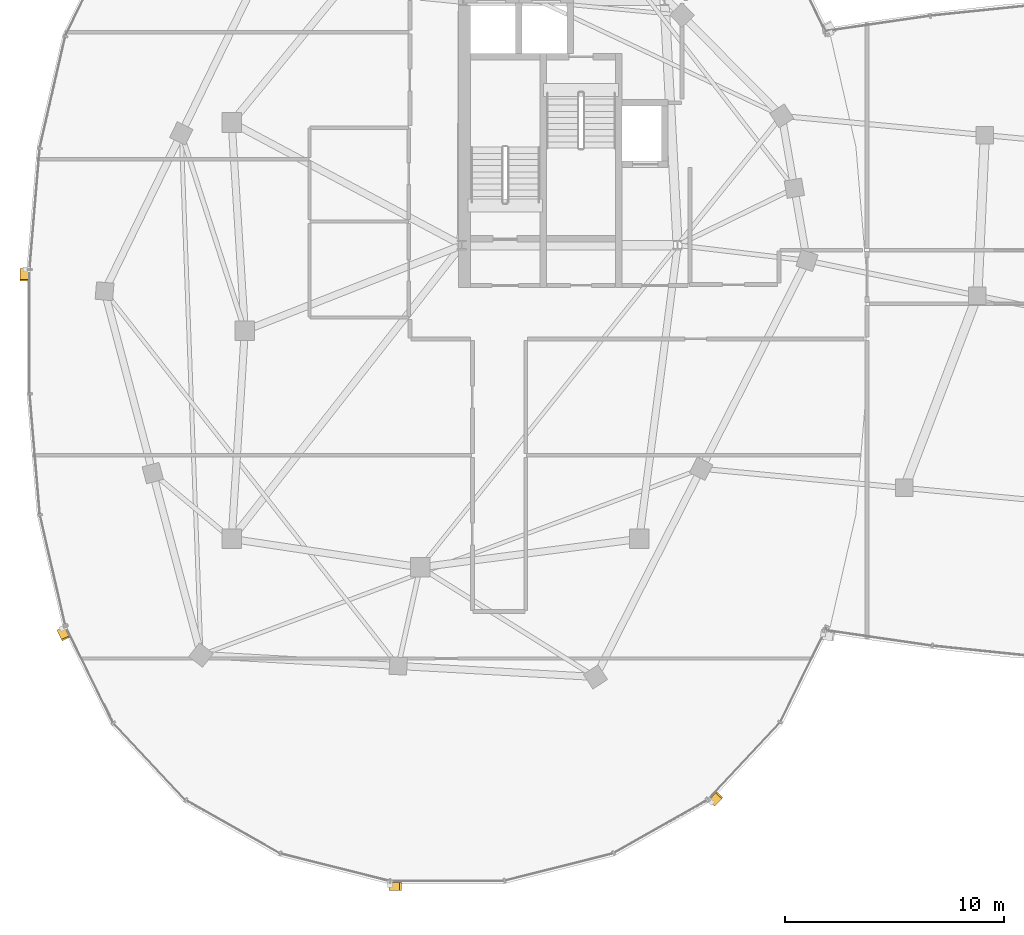
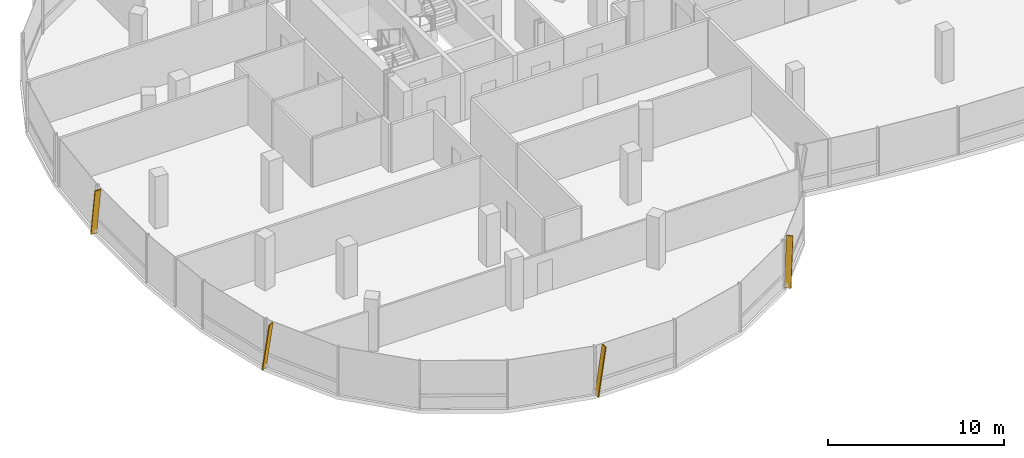
# One storey, part 21 of 26: 4 shading devices.
"""IFC4 building model written with IfcOpenShell, lengths in metres."""

import ifcopenshell
import ifcopenshell.guid

model = None  # the IFC model being written
_history = None  # IfcOwnerHistory: only IFC2X3 demands one
_inside = {}  # id of a spatial element -> (the spatial element, [elements in it])
_under = {}  # id of a project, library or spatial element -> (it, [spatial elements below it])
_declared = {}  # id of a project -> (the project, [libraries it declares])
_typed = {}  # id of a type object -> (the type object, [elements of that type])
_made_of = {}  # id of a material, layer set ... -> (it, [elements and type objects made of it])


def new_model(schema):
    """Start an empty IFC model of exactly this schema.

    Asked for "IFC4X3", IfcOpenShell would pick the latest addendum, in which some entities
    have other attributes; the version numbers below select the first issue.
    IFC2X3 requires an IfcOwnerHistory on every rooted entity: one is made here for all.
    """
    global model, _history
    if schema == "IFC4X3":
        model = ifcopenshell.file(schema_version=(4, 3, 0, 0))
    else:
        model = ifcopenshell.file(schema=schema)
    _inside.clear()
    _under.clear()
    _declared.clear()
    _typed.clear()
    _made_of.clear()
    _history = None
    if model.schema == "IFC2X3":
        org = make("IfcOrganization", Name="unknown")
        user = make(
            "IfcPersonAndOrganization",
            ThePerson=make("IfcPerson", FamilyName="unknown"),
            TheOrganization=org,
        )
        app = make(
            "IfcApplication",
            ApplicationDeveloper=org,
            Version="unknown",
            ApplicationFullName="unknown",
            ApplicationIdentifier="unknown",
        )
        _history = make(
            "IfcOwnerHistory",
            OwningUser=user,
            OwningApplication=app,
            ChangeAction="ADDED",
            CreationDate=0,
        )
    return model


def make(cls, **values):
    """One entity of the class cls with the attributes given. An attribute that is None is left unset."""
    return model.create_entity(
        cls, **{name: value for name, value in values.items() if value is not None}
    )


def rooted(cls, **values):
    """An entity with a GlobalId (a new one), such as an element, a storey or a relation."""
    return make(cls, GlobalId=ifcopenshell.guid.new(), OwnerHistory=_history, **values)


def si_unit(unit_type, name, prefix=None):
    """IfcSIUnit, for example si_unit("LENGTHUNIT", "METRE", prefix="MILLI")."""
    return make("IfcSIUnit", UnitType=unit_type, Prefix=prefix, Name=name)


def assignment(units):
    """IfcUnitAssignment: the units of a project."""
    return None if units is None else make("IfcUnitAssignment", Units=units)


def point(xyz):
    """IfcCartesianPoint."""
    return None if xyz is None else make("IfcCartesianPoint", Coordinates=xyz)


def direction(xyz):
    """IfcDirection."""
    return None if xyz is None else make("IfcDirection", DirectionRatios=xyz)


def frame(location, z_axis=None, x_axis=None):
    """IfcAxis2Placement3D, a coordinate frame: its origin and axes. An axis left out is left unset."""
    return make(
        "IfcAxis2Placement3D",
        Location=point(location),
        Axis=direction(z_axis),
        RefDirection=direction(x_axis),
    )


def frame_2d(location, x_axis=None):
    """IfcAxis2Placement2D, a coordinate frame in the plane: its origin and x axis."""
    return make(
        "IfcAxis2Placement2D", Location=point(location), RefDirection=direction(x_axis)
    )


def origin():
    """The frame at (0, 0, 0) with its axes left unset."""
    return frame((0.0, 0.0, 0.0))


def origin_2d():
    """The frame at (0, 0) in the plane with its x axis left unset."""
    return frame_2d((0.0, 0.0))


def place(relative_to, where):
    """IfcLocalPlacement: puts the frame where relative to a parent placement (None: the world)."""
    return make(
        "IfcLocalPlacement", PlacementRelTo=relative_to, RelativePlacement=where
    )


def context(
    kind, dimensions, precision=None, world=None, true_north=None, identifier=None
):
    """IfcGeometricRepresentationContext, for example the 3D "Model" context."""
    return make(
        "IfcGeometricRepresentationContext",
        ContextIdentifier=identifier,
        ContextType=kind,
        CoordinateSpaceDimension=dimensions,
        Precision=precision,
        WorldCoordinateSystem=world,
        TrueNorth=true_north,
    )


def subcontext(parent, identifier, kind, view, scale=None):
    """IfcGeometricRepresentationSubContext, for example "Body" below "Model"."""
    return make(
        "IfcGeometricRepresentationSubContext",
        ContextIdentifier=identifier,
        ContextType=kind,
        ParentContext=parent,
        TargetScale=scale,
        TargetView=view,
    )


def project(units=None, contexts=None):
    """IfcProject with its units and contexts."""
    return rooted(
        "IfcProject",
        Name="project",
        RepresentationContexts=contexts,
        UnitsInContext=assignment(units),
    )


def spatial(cls, under=None, at=None, **own):
    """A site, building, storey or space (cls), placed at a placement, below another one or the project."""
    s = rooted(cls, ObjectPlacement=at, **own)
    if under is not None:
        _under.setdefault(under.id(), (under, []))[1].append(s)
    return s


def profile(cls, at=None, kind="AREA", **sizes):
    """A parametric profile (cls). Its sizes go by their IFC names, for example OverallWidth=200.0."""
    return make(cls, ProfileType=kind, Position=at, **sizes)


def rectangle(**sizes):
    """IfcRectangleProfileDef."""
    return profile("IfcRectangleProfileDef", **sizes)


def extrude(swept, where, along, depth):
    """IfcExtrudedAreaSolid: the profile swept, set in the frame where, extruded along a direction by depth."""
    return make(
        "IfcExtrudedAreaSolid",
        SweptArea=swept,
        Position=where,
        ExtrudedDirection=direction(along),
        Depth=depth,
    )


def shape(context_of_items, identifier, shape_type, items):
    """IfcShapeRepresentation: the items that make up one representation, for example the "Body"."""
    return make(
        "IfcShapeRepresentation",
        ContextOfItems=context_of_items,
        RepresentationIdentifier=identifier,
        RepresentationType=shape_type,
        Items=items,
    )


def material(Name=None, Category=None):
    """IfcMaterial."""
    return make("IfcMaterial", Name=Name, Category=Category)


def material_profile(
    of_material, cross_section, Name=None, Category=None, Priority=None
):
    """IfcMaterialProfile: a cross section and its material."""
    return make(
        "IfcMaterialProfile",
        Name=Name,
        Material=of_material,
        Profile=cross_section,
        Priority=Priority,
        Category=Category,
    )


def profile_set(profiles, Name=None, composite=None):
    """IfcMaterialProfileSet."""
    return make(
        "IfcMaterialProfileSet",
        Name=Name,
        MaterialProfiles=profiles,
        CompositeProfile=composite,
    )


def made_of(thing, what):
    """Note that an element or type object is made of a material, layer set ...; save() writes the relation."""
    if what is not None:
        _made_of.setdefault(what.id(), (what, []))[1].append(thing)
    return thing


def type_object(cls, material=None, **own):
    """A type object (cls), such as IfcWallType, which elements share."""
    return made_of(rooted(cls, **own), material)


def element(
    cls,
    number,
    at=None,
    inside=None,
    cuts=None,
    type_object=None,
    material=None,
    context=None,
    identifier="Body",
    shape_type=None,
    held_by="IfcProductDefinitionShape",
    body=None,
    shapes=None,
    **own,
):
    """One element of the class cls, such as IfcWall. Its Tag is "e" and its number.

    at: its placement. inside: the storey or other place that contains it. cuts: it is an
    opening in that element (IfcRelVoidsElement). A single representation is given by context,
    identifier, shape_type and body (its items); several are given by shapes. held_by: the class
    of the entity that holds the representations. save() writes the other relations.
    """
    e = rooted(cls, Tag="e%d" % number, ObjectPlacement=at, **own)
    if body is not None:
        shapes = [shape(context, identifier, shape_type, body)]
    if shapes is not None:
        e.Representation = make(held_by, Representations=shapes)
    if inside is not None:
        _inside.setdefault(inside.id(), (inside, []))[1].append(e)
    if cuts is not None:
        rooted(
            "IfcRelVoidsElement", RelatingBuildingElement=cuts, RelatedOpeningElement=e
        )
    if type_object is not None:
        _typed.setdefault(type_object.id(), (type_object, []))[1].append(e)
    return made_of(e, material)


def aggregate(whole, parts):
    """IfcRelAggregates: a whole, such as a stair, and the parts it consists of."""
    return rooted("IfcRelAggregates", RelatingObject=whole, RelatedObjects=parts)


def save(model, path):
    """Write the relations noted so far, then the file.

    IfcRelAggregates (storeys below a building ...), IfcRelContainedInSpatialStructure (elements
    in a storey), IfcRelDefinesByType, IfcRelAssociatesMaterial and IfcRelDeclares: one each for
    every whole, place, type object, material and project.
    """
    for whole, parts in _under.values():
        aggregate(whole, parts)
    for where, things in _inside.values():
        rooted(
            "IfcRelContainedInSpatialStructure",
            RelatedElements=things,
            RelatingStructure=where,
        )
    for kind, things in _typed.values():
        rooted("IfcRelDefinesByType", RelatedObjects=things, RelatingType=kind)
    for what, things in _made_of.values():
        rooted("IfcRelAssociatesMaterial", RelatedObjects=things, RelatingMaterial=what)
    for by, libraries in _declared.values():
        rooted("IfcRelDeclares", RelatingContext=by, RelatedDefinitions=libraries)
    model.write(path)


model = new_model("IFC4")

# Units and contexts
model_context = context("Model", 3, precision=1e-05, world=origin(), true_north=direction((0.0, 1.0)))
body_context = subcontext(model_context, "Body", "Model", "MODEL_VIEW")
ifc_project = project(units=[si_unit("LENGTHUNIT", "METRE"), si_unit("AREAUNIT", "SQUARE_METRE"), si_unit("VOLUMEUNIT", "CUBIC_METRE"), si_unit("PLANEANGLEUNIT", "RADIAN"), si_unit("MASSUNIT", "GRAM", prefix="KILO"), si_unit("THERMODYNAMICTEMPERATUREUNIT", "KELVIN"), si_unit("POWERUNIT", "WATT")], contexts=[model_context])

# Site, building, storey
site_placement = place(None, origin())
site = spatial("IfcSite", under=ifc_project, at=site_placement, CompositionType="ELEMENT")
building_placement = place(site_placement, origin())
building = spatial("IfcBuilding", under=site, at=building_placement, Name="Cundina Bronze Exchange", CompositionType="ELEMENT")
storey_placement = place(building_placement, frame((0.0, 0.0, 261.199951171875)))
storey = spatial("IfcBuildingStorey", under=building, at=storey_placement, Name="L69", CompositionType="ELEMENT", Elevation=261.199951171875)

# Shading devices
ifc_material = material(Name="Anodised Bronze Aluminium 6063-T6", Category="aluminium")
ifc_material_profile = material_profile(ifc_material, rectangle(XDim=0.070068359375, YDim=0.3798828125, at=origin_2d()), Name="FIN70X380", Category="aluminium")
ifc_profile_set = profile_set([ifc_material_profile], Name="Anodised Bronze Aluminium 6063-T6")
shading_device_type = type_object("IfcShadingDeviceType", Name="SHD-FIN-BRZ380", PredefinedType="USERDEFINED", material=ifc_profile_set)
for number, where, z_axis, x_axis, name in (
    (1, (-51.26904296875, 2.79150390625, 0.02001953125), (0.0, -0.143932024572, 0.989587576874), (0.0, 0.989587576874, 0.143932024572), "L69 Diagonal Bronze Solar Fin 5"),
    (2, (-49.593505859375, -13.614013671875, 0.02001953125), (0.063400368732, -0.129216686851, 0.989587510574), (-0.435900311632, 0.888411143223, 0.143932480407), "L69 Diagonal Bronze Solar Fin 1"),
    (3, (-34.576416015625, -25.360107421875, 0.02001953125), (0.143932024572, 0.0, 0.989587576874), (-0.989587576874, 0.0, 0.143932024572), "L69 Diagonal Bronze Solar Fin 5"),
    (4, (-19.877685546875, -21.55078125, 0.02001953125), (0.098541444371, 0.10491076507, 0.989587446926), (-0.677505727677, -0.721296959704, 0.143932918008), "L69 Diagonal Bronze Solar Fin 1"),
):
    element("IfcShadingDevice", number, at=place(storey_placement, frame(where, z_axis=z_axis, x_axis=x_axis)), inside=storey, type_object=shading_device_type, Name=name, ObjectType="FIN", PredefinedType="USERDEFINED", context=body_context, shape_type="SweptSolid", body=[
        extrude(rectangle(XDim=0.070068359375, YDim=0.3798828125, at=origin_2d()), origin(), (0.0, 0.0, 1.0), 3.334716796875),
    ])

save(model, "model.ifc")
